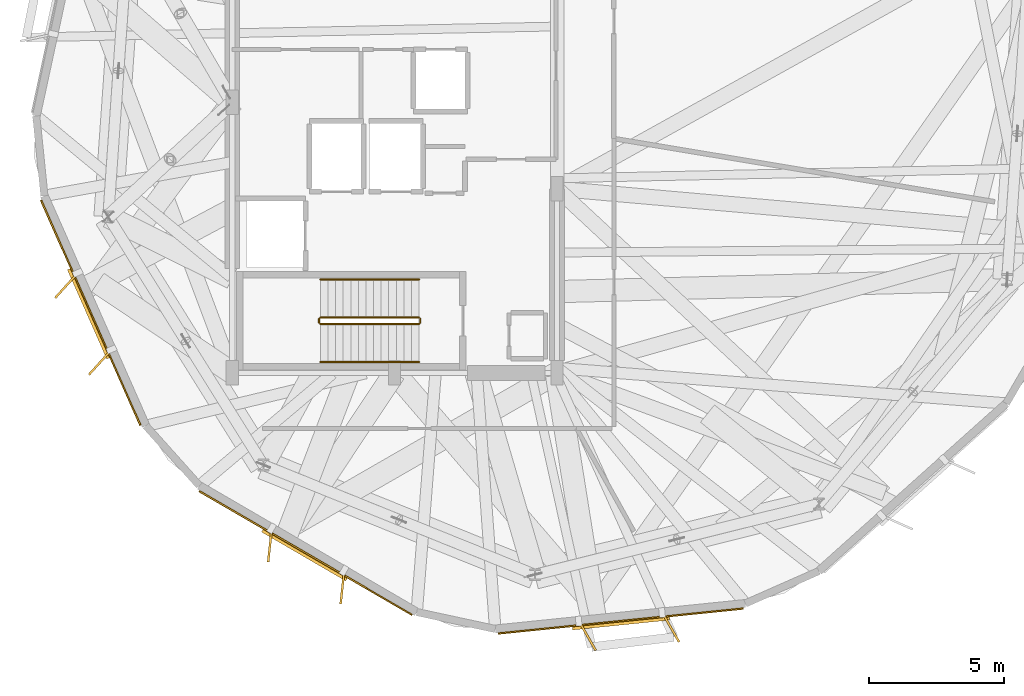
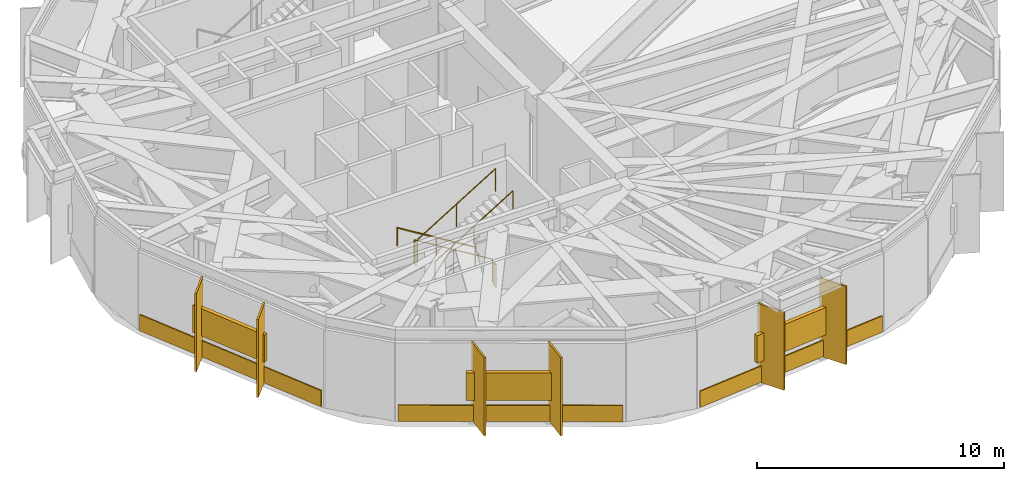
# One storey, part 11 of 14: 9 shading devices, 6 railings, 3 coverings.
"""IFC4 building model written with IfcOpenShell, lengths in metres."""

from ifc_helpers import new_model, si_unit, direction, frame, origin, origin_2d, place, context, subcontext, project, spatial, rectangle, circle, extrude, material, layer, layer_set, type_object, element, save


model = new_model("IFC4")

# Units and contexts
model_context = context("Model", 3, precision=1e-05, world=origin(), true_north=direction((0.0, 1.0)))
body_context = subcontext(model_context, "Body", "Model", "MODEL_VIEW")
ifc_project = project(units=[si_unit("LENGTHUNIT", "METRE"), si_unit("AREAUNIT", "SQUARE_METRE"), si_unit("VOLUMEUNIT", "CUBIC_METRE"), si_unit("PLANEANGLEUNIT", "RADIAN"), si_unit("MASSUNIT", "GRAM", prefix="KILO")], contexts=[model_context])

# Site, building, storey
site_placement = place(None, origin())
site = spatial("IfcSite", under=ifc_project, at=site_placement, CompositionType="ELEMENT")
building_placement = place(site_placement, origin())
building = spatial("IfcBuilding", under=site, at=building_placement, Name="Soratama Intermodal Tower", CompositionType="ELEMENT")
storey_placement = place(building_placement, frame((0.0, 0.0, 185.800048828125)))
storey = spatial("IfcBuildingStorey", under=building, at=storey_placement, Name="L46", CompositionType="ELEMENT", Elevation=185.800048828125)

# Coverings
ifc_material_1 = material(Name="Honed Andean limestone cladding", Category="masonry")
ifc_layer_1 = layer(ifc_material_1, 0.06005859375)
ifc_layer_set_1 = layer_set([ifc_layer_1], Name="Honed Andean limestone cladding")
covering_type = type_object("IfcCoveringType", Name="CV-STONE-CLAD", PredefinedType="CLADDING", material=ifc_layer_set_1)
for number, where, z_axis, x_axis, name in (
    (1, (27.37451171875, 17.218994140625, 0.0498046875), (0.0, 0.0, 1.0), (0.403864652935, -0.914818748228, 0.0), "L46 Stone Cladding F05"),
    (2, (35.314453125, 8.34521484375, 0.0498046875), (0.0, 0.0, 1.0), (0.864450336381, -0.502718227172, 0.0), "L46 Stone Cladding F06"),
    (3, (46.95361328125, 5.832763671875, 0.0498046875), (0.0, 0.0, 1.0), (0.994845372916, 0.1014035699, 0.0), "L46 Stone Cladding F07"),
):
    element("IfcCovering", number, at=place(storey_placement, frame(where, z_axis=z_axis, x_axis=x_axis)), inside=storey, type_object=covering_type, Name=name, PredefinedType="CLADDING", context=body_context, shape_type="SweptSolid", body=[
        extrude(rectangle(XDim=9.087158203125, YDim=0.06005859375, at=origin_2d()), origin(), (0.0, 0.0, 1.0), 0.800048828125),
    ])

# Railings
ifc_material_2 = material(Name="Painted steel stair guardrail", Category="steel")
railing_type_1 = type_object("IfcRailingType", Name="RL-STAIR-GUARD", PredefinedType="GUARDRAIL", material=ifc_material_2)
railing_1_placement = place(storey_placement, frame((39.5, 17.050048828125, 0.17138671875)))
element("IfcRailing", 4, at=railing_1_placement, inside=storey, type_object=railing_type_1, Name="L46 ST-1 stair guard 1", PredefinedType="GUARDRAIL", context=body_context, shape_type="SweptSolid", body=[
    extrude(circle(Radius=0.02392578125, at=origin_2d()), frame((0.0, 0.0, 1.1259765625), z_axis=(-0.852850264322, 0.0, 0.5221555579), x_axis=(0.0, -1.0, 0.0)), (0.0, 0.0, 1.0), 4.267822265625),
    extrude(circle(Radius=0.02099609375, at=origin_2d()), origin(), (0.0, 0.0, 1.0), 1.101806640625),
    extrude(circle(Radius=0.02099609375, at=origin_2d()), frame((-1.81982421875, 0.0, 1.1142578125)), (0.0, 0.0, 1.0), 1.101806640625),
    extrude(circle(Radius=0.02099609375, at=origin_2d()), frame((-3.639892578125, 0.0, 2.228515625)), (0.0, 0.0, 1.0), 1.101806640625),
])
railing_2_placement = place(storey_placement, frame((35.81005859375, 17.0, 2.39990234375)))
element("IfcRailing", 5, at=railing_2_placement, inside=storey, type_object=railing_type_1, Name="L46 ST-1 stair guard 2", PredefinedType="GUARDRAIL", context=body_context, shape_type="SweptSolid", body=[
    extrude(circle(Radius=0.02392578125, at=origin_2d()), frame((0.0, 0.0, 1.1259765625), z_axis=(0.0, -1.0, 0.0), x_axis=(1.0, 0.0, 0.0)), (0.0, 0.0, 1.0), 0.14990234375),
    extrude(circle(Radius=0.02099609375, at=origin_2d()), origin(), (0.0, 0.0, 1.0), 1.101806640625),
    extrude(circle(Radius=0.02099609375, at=origin_2d()), frame((0.0, -0.14990234375, 0.0)), (0.0, 0.0, 1.0), 1.101806640625),
])
railing_3_placement = place(storey_placement, frame((35.860107421875, 16.800048828125, 2.5712890625)))
element("IfcRailing", 6, at=railing_3_placement, inside=storey, type_object=railing_type_1, Name="L46 ST-1 stair guard 3", PredefinedType="GUARDRAIL", context=body_context, shape_type="SweptSolid", body=[
    extrude(circle(Radius=0.02392578125, at=origin_2d()), frame((0.0, 0.0, 1.1259765625), z_axis=(0.852824790078, 0.0, 0.522197163366), x_axis=(0.0, 1.0, 0.0)), (0.0, 0.0, 1.0), 4.26806640625),
    extrude(circle(Radius=0.02099609375, at=origin_2d()), origin(), (0.0, 0.0, 1.0), 1.101806640625),
    extrude(circle(Radius=0.02099609375, at=origin_2d()), frame((1.81982421875, 0.0, 1.1142578125)), (0.0, 0.0, 1.0), 1.101806640625),
    extrude(circle(Radius=0.02099609375, at=origin_2d()), frame((3.639892578125, 0.0, 2.228759765625)), (0.0, 0.0, 1.0), 1.101806640625),
])
railing_4_placement = place(storey_placement, frame((39.550048828125, 17.0, 0.0)))
element("IfcRailing", 7, at=railing_4_placement, inside=storey, type_object=railing_type_1, Name="L46 ST-1 stair guard 4", PredefinedType="GUARDRAIL", context=body_context, shape_type="SweptSolid", body=[
    extrude(circle(Radius=0.02392578125, at=origin_2d()), frame((0.0, 0.0, 1.1259765625), z_axis=(0.0, -1.0, 0.0), x_axis=(1.0, 0.0, 0.0)), (0.0, 0.0, 1.0), 0.14990234375),
    extrude(circle(Radius=0.02099609375, at=origin_2d()), origin(), (0.0, 0.0, 1.0), 1.101806640625),
    extrude(circle(Radius=0.02099609375, at=origin_2d()), frame((0.0, -0.14990234375, 0.0)), (0.0, 0.0, 1.0), 1.101806640625),
])
ifc_material_3 = material(Name="Brushed stainless steel handrail", Category="steel")
railing_type_2 = type_object("IfcRailingType", Name="RL-STAIR-HAND", PredefinedType="HANDRAIL", material=ifc_material_3)
railing_5_placement = place(storey_placement, frame((39.5, 18.449951171875, 0.17138671875)))
element("IfcRailing", 8, at=railing_5_placement, inside=storey, type_object=railing_type_2, Name="L46 ST-1 stair handrail 1", PredefinedType="HANDRAIL", context=body_context, shape_type="SweptSolid", body=[
    extrude(circle(Radius=0.02392578125, at=origin_2d()), frame((0.0, 0.0, 0.8759765625), z_axis=(-0.852850264322, 0.0, 0.5221555579), x_axis=(0.0, -1.0, 0.0)), (0.0, 0.0, 1.0), 4.267822265625),
    extrude(circle(Radius=0.02099609375, at=origin_2d()), origin(), (0.0, 0.0, 1.0), 0.851806640625),
    extrude(circle(Radius=0.02099609375, at=origin_2d()), frame((-1.81982421875, 0.0, 1.1142578125)), (0.0, 0.0, 1.0), 0.851806640625),
    extrude(circle(Radius=0.02099609375, at=origin_2d()), frame((-3.639892578125, 0.0, 2.228515625)), (0.0, 0.0, 1.0), 0.851806640625),
])
railing_6_placement = place(storey_placement, frame((35.860107421875, 15.39990234375, 2.5712890625)))
element("IfcRailing", 9, at=railing_6_placement, inside=storey, type_object=railing_type_2, Name="L46 ST-1 stair handrail 2", PredefinedType="HANDRAIL", context=body_context, shape_type="SweptSolid", body=[
    extrude(circle(Radius=0.02392578125, at=origin_2d()), frame((0.0, 0.0, 0.8759765625), z_axis=(0.852824790078, 0.0, 0.522197163366), x_axis=(0.0, 1.0, 0.0)), (0.0, 0.0, 1.0), 4.26806640625),
    extrude(circle(Radius=0.02099609375, at=origin_2d()), origin(), (0.0, 0.0, 1.0), 0.851806640625),
    extrude(circle(Radius=0.02099609375, at=origin_2d()), frame((1.81982421875, 0.0, 1.1142578125)), (0.0, 0.0, 1.0), 0.851806640625),
    extrude(circle(Radius=0.02099609375, at=origin_2d()), frame((3.639892578125, 0.0, 2.228759765625)), (0.0, 0.0, 1.0), 0.851806640625),
])

# Shading devices
ifc_material_4 = material(Name="Champagne anodised aluminium solar fin", Category="aluminium")
ifc_layer_2 = layer(ifc_material_4, 0.080078125)
ifc_layer_set_2 = layer_set([ifc_layer_2], Name="Champagne anodised aluminium solar fin")
shading_device_type_1 = type_object("IfcShadingDeviceType", Name="SH-FIN-1250", PredefinedType="USERDEFINED", material=ifc_layer_set_2)
for number, where, z_axis, x_axis, name in (
    (10, (26.4765625, 18.227783203125, 0.02001953125), (0.0, 0.0, 1.0), (-0.671461958818, -0.741039025868, 0.0), "L46 Solar Fin F05-1"),
    (11, (27.726806640625, 15.395751953125, 0.02001953125), (0.0, 0.0, 1.0), (-0.671461958818, -0.741039025868, 0.0), "L46 Solar Fin F05-2"),
    (12, (33.994873046875, 8.63330078125, 0.02001953125), (0.0, 0.0, 1.0), (-0.107652324982, -0.994188602291, 0.0), "L46 Solar Fin F06-1"),
    (13, (36.6708984375, 7.076904296875, 0.02001953125), (0.0, 0.0, 1.0), (-0.107652324982, -0.994188602291, 0.0), "L46 Solar Fin F06-2"),
    (14, (45.716796875, 5.290283203125, 0.02001953125), (0.0, 0.0, 1.0), (0.49727683803, -0.867591923867, 0.0), "L46 Solar Fin F07-1"),
    (15, (48.796630859375, 5.604248046875, 0.02001953125), (0.0, 0.0, 1.0), (0.49727683803, -0.867591923867, 0.0), "L46 Solar Fin F07-2"),
):
    element("IfcShadingDevice", number, at=place(storey_placement, frame(where, z_axis=z_axis, x_axis=x_axis)), inside=storey, type_object=shading_device_type_1, Name=name, ObjectType="FIN", PredefinedType="USERDEFINED", context=body_context, shape_type="SweptSolid", body=[
        extrude(rectangle(XDim=1.25, YDim=0.080078125, at=origin_2d()), origin(), (0.0, 0.0, 1.0), 3.85888671875),
    ])
ifc_material_5 = material(Name="Anodised aluminium weather louvre", Category="aluminium")
ifc_layer_3 = layer(ifc_material_5, 0.1201171875)
ifc_layer_set_3 = layer_set([ifc_layer_3], Name="Anodised aluminium weather louvre")
shading_device_type_2 = type_object("IfcShadingDeviceType", Name="SH-LOUVRE-PLANT", PredefinedType="JALOUSIE", material=ifc_layer_set_3)
for number, where, z_axis, x_axis, name in (
    (16, (27.319580078125, 17.194580078125, 1.1748046875), (0.0, 0.0, 1.0), (0.403864652935, -0.914818748228, 0.0), "L46 Acoustic Louvre F05"),
    (17, (35.2841796875, 8.293212890625, 1.1748046875), (0.0, 0.0, 1.0), (0.864450336381, -0.502718227172, 0.0), "L46 Acoustic Louvre F06"),
    (18, (46.959716796875, 5.773193359375, 1.1748046875), (0.0, 0.0, 1.0), (0.994845372916, 0.1014035699, 0.0), "L46 Acoustic Louvre F07"),
):
    element("IfcShadingDevice", number, at=place(storey_placement, frame(where, z_axis=z_axis, x_axis=x_axis)), inside=storey, type_object=shading_device_type_2, Name=name, PredefinedType="JALOUSIE", context=body_context, shape_type="SweptSolid", body=[
        extrude(rectangle(XDim=3.60009765625, YDim=0.179931640625, at=origin_2d()), origin(), (0.0, 0.0, 1.0), 1.35009765625),
    ])

save(model, "model.ifc")
